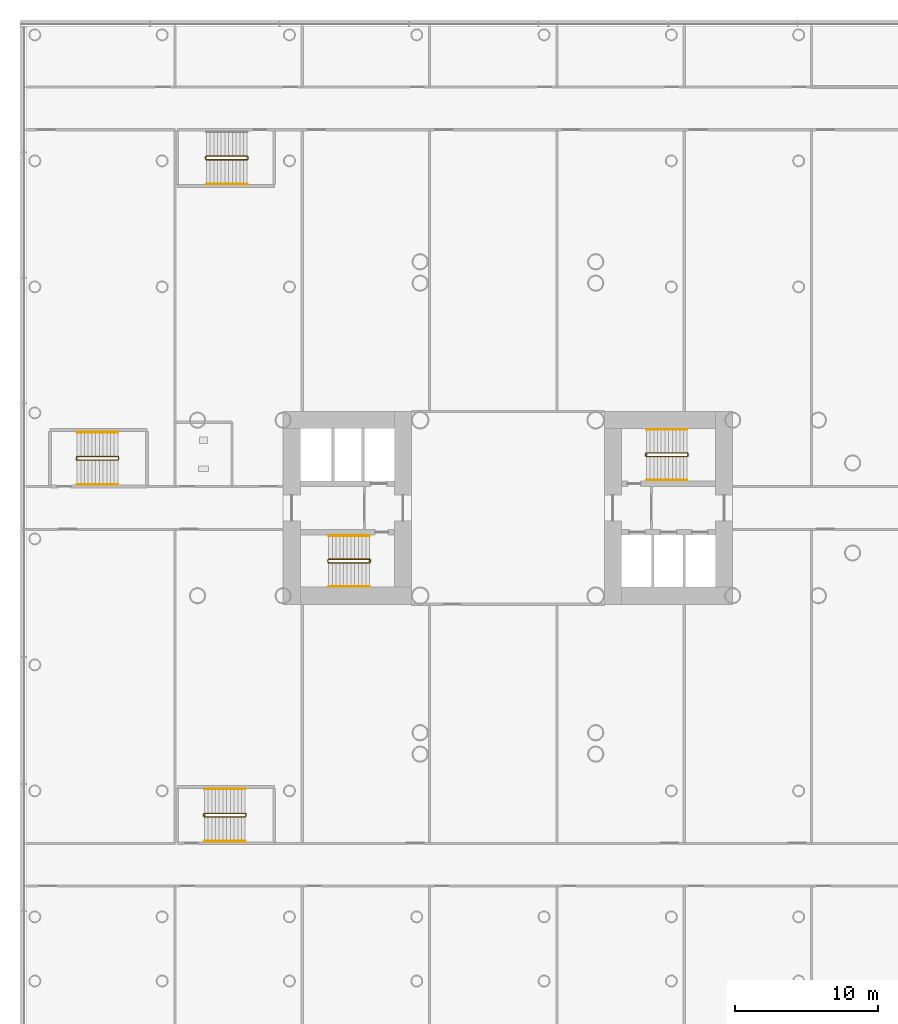
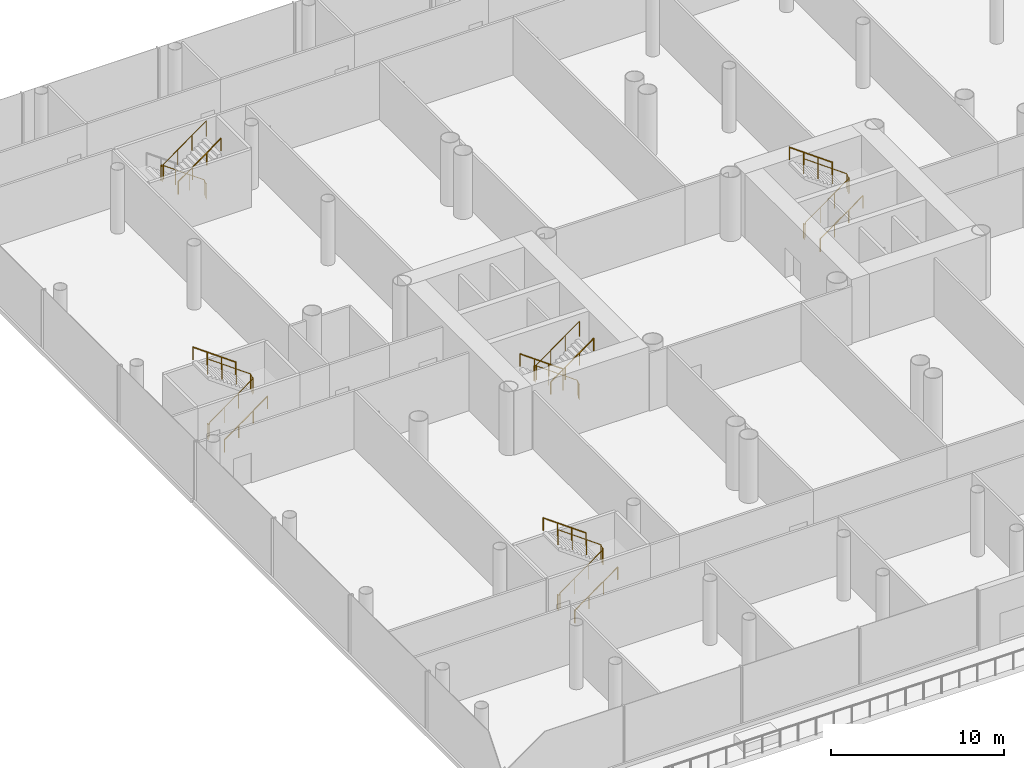
# One storey, part 46 of 49: 14 railings.
"""IFC4 building model written with IfcOpenShell, lengths in metres."""

from ifc_helpers import new_model, si_unit, direction, frame, origin, origin_2d, place, context, subcontext, project, spatial, circle, extrude, material, type_object, element, save


model = new_model("IFC4")

# Units and contexts
model_context = context("Model", 3, precision=1e-05, world=origin(), true_north=direction((0.0, 1.0)))
body_context = subcontext(model_context, "Body", "Model", "MODEL_VIEW")
ifc_project = project(units=[si_unit("LENGTHUNIT", "METRE"), si_unit("AREAUNIT", "SQUARE_METRE"), si_unit("VOLUMEUNIT", "CUBIC_METRE"), si_unit("PLANEANGLEUNIT", "RADIAN"), si_unit("MASSUNIT", "GRAM", prefix="KILO")], contexts=[model_context])

# Site, building, storey
site_placement = place(None, origin())
site = spatial("IfcSite", under=ifc_project, at=site_placement, CompositionType="ELEMENT")
building_placement = place(site_placement, origin())
building = spatial("IfcBuilding", under=site, at=building_placement, Name="Ipe Terrace Towers", CompositionType="ELEMENT")
storey_placement = place(building_placement, frame((0.0, 0.0, 11.0)))
storey = spatial("IfcBuildingStorey", under=building, at=storey_placement, Name="L02", CompositionType="ELEMENT", Elevation=11.0)

# Railings
ifc_material_1 = material(Name="Steel S355", Category="steel")
railing_type_1 = type_object("IfcRailingType", Name="Stair guard 1100", PredefinedType="GUARDRAIL", material=ifc_material_1)
railing_1_placement = place(storey_placement, frame((-26.35009765625, 3.800048828125, 0.0)))
element("IfcRailing", 1, at=railing_1_placement, inside=storey, type_object=railing_type_1, Name="L02 T1-ST1 stair guard 1", PredefinedType="GUARDRAIL", context=body_context, shape_type="SweptSolid", body=[
    extrude(circle(Radius=0.02392578125, at=origin_2d()), frame((0.0, 0.0, 1.076171875), z_axis=(0.0, -1.0, 0.0), x_axis=(1.0, 0.0, 0.0)), (0.0, 0.0, 1.0), 0.150146484375),
    extrude(circle(Radius=0.02392578125, at=origin_2d()), frame((0.0, -0.150146484375, 1.076171875), z_axis=(0.249802250048, -0.248583702486, 0.935844527007), x_axis=(0.705375805398, 0.708833529934, 0.0)), (0.0, 0.0, 1.0), 0.200439453125),
    extrude(circle(Radius=0.02392578125, at=origin_2d()), frame((0.050048828125, -0.199951171875, 1.263671875), z_axis=(0.811100754333, 0.0, 0.584906459462), x_axis=(0.0, 1.0, 0.0)), (0.0, 0.0, 1.0), 3.526123046875),
    extrude(circle(Radius=0.02392578125, at=origin_2d()), frame((2.91015625, -0.199951171875, 3.326171875), z_axis=(0.708833529934, 0.705375805398, 0.0), x_axis=(-0.705375805398, 0.708833529934, 0.0)), (0.0, 0.0, 1.0), 0.070556640625),
    extrude(circle(Radius=0.02392578125, at=origin_2d()), frame((2.960205078125, -0.150146484375, 3.326171875), z_axis=(0.0, 1.0, 0.0), x_axis=(-1.0, 0.0, 0.0)), (0.0, 0.0, 1.0), 0.150146484375),
    extrude(circle(Radius=0.02392578125, at=origin_2d()), frame((2.960205078125, 0.0, 3.326171875), z_axis=(-0.249726431254, 0.249726431254, 0.935560483917), x_axis=(-0.707106781187, -0.707106781187, 0.0)), (0.0, 0.0, 1.0), 0.200439453125),
    extrude(circle(Radius=0.02392578125, at=origin_2d()), frame((2.91015625, 0.050048828125, 3.513671875), z_axis=(-0.811100754333, 0.0, 0.584906459462), x_axis=(0.0, -1.0, 0.0)), (0.0, 0.0, 1.0), 3.526123046875),
    extrude(circle(Radius=0.02099609375, at=origin_2d()), origin(), (0.0, 0.0, 1.0), 1.052001953125),
    extrude(circle(Radius=0.02099609375, at=origin_2d()), frame((0.0, -0.150146484375, 0.0)), (0.0, 0.0, 1.0), 1.052001953125),
    extrude(circle(Radius=0.02099609375, at=origin_2d()), frame((0.050048828125, -0.199951171875, 0.1875)), (0.0, 0.0, 1.0), 1.052001953125),
    extrude(circle(Radius=0.02099609375, at=origin_2d()), frame((1.00341796875, -0.199951171875, 0.875)), (0.0, 0.0, 1.0), 1.052001953125),
    extrude(circle(Radius=0.02099609375, at=origin_2d()), frame((1.956787109375, -0.199951171875, 1.5625)), (0.0, 0.0, 1.0), 1.052001953125),
    extrude(circle(Radius=0.02099609375, at=origin_2d()), frame((2.91015625, -0.199951171875, 2.25)), (0.0, 0.0, 1.0), 1.052001953125),
    extrude(circle(Radius=0.02099609375, at=origin_2d()), frame((2.960205078125, -0.150146484375, 2.25)), (0.0, 0.0, 1.0), 1.052001953125),
    extrude(circle(Radius=0.02099609375, at=origin_2d()), frame((2.960205078125, 0.0, 2.25)), (0.0, 0.0, 1.0), 1.052001953125),
    extrude(circle(Radius=0.02099609375, at=origin_2d()), frame((2.91015625, 0.050048828125, 2.4375)), (0.0, 0.0, 1.0), 1.052001953125),
    extrude(circle(Radius=0.02099609375, at=origin_2d()), frame((1.956787109375, 0.050048828125, 3.125)), (0.0, 0.0, 1.0), 1.052001953125),
    extrude(circle(Radius=0.02099609375, at=origin_2d()), frame((1.00341796875, 0.050048828125, 3.8125)), (0.0, 0.0, 1.0), 1.052001953125),
    extrude(circle(Radius=0.02099609375, at=origin_2d()), frame((0.050048828125, 0.050048828125, 4.5)), (0.0, 0.0, 1.0), 1.052001953125),
])
railing_2_placement = place(storey_placement, frame((-45.64990234375, -3.800048828125, 0.0)))
element("IfcRailing", 2, at=railing_2_placement, inside=storey, type_object=railing_type_1, Name="L02 T1-ST2 stair guard 1", PredefinedType="GUARDRAIL", context=body_context, shape_type="SweptSolid", body=[
    extrude(circle(Radius=0.02392578125, at=origin_2d()), frame((0.0, 0.0, 1.076171875), z_axis=(0.0, 1.0, 0.0), x_axis=(-1.0, 0.0, 0.0)), (0.0, 0.0, 1.0), 0.150146484375),
    extrude(circle(Radius=0.02392578125, at=origin_2d()), frame((0.0, 0.150146484375, 1.076171875), z_axis=(-0.249802250048, 0.248583702486, 0.935844527007), x_axis=(-0.705375805398, -0.708833529934, 0.0)), (0.0, 0.0, 1.0), 0.200439453125),
    extrude(circle(Radius=0.02392578125, at=origin_2d()), frame((-0.050048828125, 0.199951171875, 1.263671875), z_axis=(-0.811100754333, 0.0, 0.584906459462), x_axis=(0.0, -1.0, 0.0)), (0.0, 0.0, 1.0), 3.526123046875),
    extrude(circle(Radius=0.02392578125, at=origin_2d()), frame((-2.91015625, 0.199951171875, 3.326171875), z_axis=(-0.708833529934, -0.705375805398, 0.0), x_axis=(0.705375805398, -0.708833529934, 0.0)), (0.0, 0.0, 1.0), 0.070556640625),
    extrude(circle(Radius=0.02392578125, at=origin_2d()), frame((-2.960205078125, 0.150146484375, 3.326171875), z_axis=(0.0, -1.0, 0.0), x_axis=(1.0, 0.0, 0.0)), (0.0, 0.0, 1.0), 0.150146484375),
    extrude(circle(Radius=0.02392578125, at=origin_2d()), frame((-2.960205078125, 0.0, 3.326171875), z_axis=(0.249726431254, -0.249726431254, 0.935560483917), x_axis=(0.707106781187, 0.707106781187, 0.0)), (0.0, 0.0, 1.0), 0.200439453125),
    extrude(circle(Radius=0.02392578125, at=origin_2d()), frame((-2.91015625, -0.050048828125, 3.513671875), z_axis=(0.811100754333, 0.0, 0.584906459462), x_axis=(0.0, 1.0, 0.0)), (0.0, 0.0, 1.0), 3.526123046875),
    extrude(circle(Radius=0.02099609375, at=origin_2d()), origin(), (0.0, 0.0, 1.0), 1.052001953125),
    extrude(circle(Radius=0.02099609375, at=origin_2d()), frame((0.0, 0.150146484375, 0.0)), (0.0, 0.0, 1.0), 1.052001953125),
    extrude(circle(Radius=0.02099609375, at=origin_2d()), frame((-0.050048828125, 0.199951171875, 0.1875)), (0.0, 0.0, 1.0), 1.052001953125),
    extrude(circle(Radius=0.02099609375, at=origin_2d()), frame((-1.00341796875, 0.199951171875, 0.875)), (0.0, 0.0, 1.0), 1.052001953125),
    extrude(circle(Radius=0.02099609375, at=origin_2d()), frame((-1.956787109375, 0.199951171875, 1.5625)), (0.0, 0.0, 1.0), 1.052001953125),
    extrude(circle(Radius=0.02099609375, at=origin_2d()), frame((-2.91015625, 0.199951171875, 2.25)), (0.0, 0.0, 1.0), 1.052001953125),
    extrude(circle(Radius=0.02099609375, at=origin_2d()), frame((-2.960205078125, 0.150146484375, 2.25)), (0.0, 0.0, 1.0), 1.052001953125),
    extrude(circle(Radius=0.02099609375, at=origin_2d()), frame((-2.960205078125, 0.0, 2.25)), (0.0, 0.0, 1.0), 1.052001953125),
    extrude(circle(Radius=0.02099609375, at=origin_2d()), frame((-2.91015625, -0.050048828125, 2.4375)), (0.0, 0.0, 1.0), 1.052001953125),
    extrude(circle(Radius=0.02099609375, at=origin_2d()), frame((-1.956787109375, -0.050048828125, 3.125)), (0.0, 0.0, 1.0), 1.052001953125),
    extrude(circle(Radius=0.02099609375, at=origin_2d()), frame((-1.00341796875, -0.050048828125, 3.8125)), (0.0, 0.0, 1.0), 1.052001953125),
    extrude(circle(Radius=0.02099609375, at=origin_2d()), frame((-0.050048828125, -0.050048828125, 4.5)), (0.0, 0.0, 1.0), 1.052001953125),
])
railing_3_placement = place(storey_placement, frame((-54.219970703125, 24.449951171875, 0.0)))
element("IfcRailing", 3, at=railing_3_placement, inside=storey, type_object=railing_type_1, Name="L02 PS1 stair guard 1", PredefinedType="GUARDRAIL", context=body_context, shape_type="SweptSolid", body=[
    extrude(circle(Radius=0.02392578125, at=origin_2d()), frame((0.0, 0.0, 1.076171875), z_axis=(0.0, 1.0, 0.0), x_axis=(-1.0, 0.0, 0.0)), (0.0, 0.0, 1.0), 0.150146484375),
    extrude(circle(Radius=0.02392578125, at=origin_2d()), frame((0.0, 0.150146484375, 1.076171875), z_axis=(-0.249802250048, 0.248583702486, 0.935844527007), x_axis=(-0.705375805398, -0.708833529934, 0.0)), (0.0, 0.0, 1.0), 0.200439453125),
    extrude(circle(Radius=0.02392578125, at=origin_2d()), frame((-0.050048828125, 0.199951171875, 1.263671875), z_axis=(-0.811077065594, 0.0, 0.584939307678), x_axis=(0.0, -1.0, 0.0)), (0.0, 0.0, 1.0), 3.526123046875),
    extrude(circle(Radius=0.02392578125, at=origin_2d()), frame((-2.909912109375, 0.199951171875, 3.326171875), z_axis=(-0.708833529934, -0.705375805398, 0.0), x_axis=(0.705375805398, -0.708833529934, 0.0)), (0.0, 0.0, 1.0), 0.070556640625),
    extrude(circle(Radius=0.02392578125, at=origin_2d()), frame((-2.9599609375, 0.150146484375, 3.326171875), z_axis=(0.0, -1.0, 0.0), x_axis=(1.0, 0.0, 0.0)), (0.0, 0.0, 1.0), 0.150146484375),
    extrude(circle(Radius=0.02392578125, at=origin_2d()), frame((-2.9599609375, 0.0, 3.326171875), z_axis=(0.249726431254, -0.249726431254, 0.935560483917), x_axis=(0.707106781187, 0.707106781187, 0.0)), (0.0, 0.0, 1.0), 0.200439453125),
    extrude(circle(Radius=0.02392578125, at=origin_2d()), frame((-2.909912109375, -0.050048828125, 3.513671875), z_axis=(0.811077065594, 0.0, 0.584939307678), x_axis=(0.0, 1.0, 0.0)), (0.0, 0.0, 1.0), 3.526123046875),
    extrude(circle(Radius=0.02099609375, at=origin_2d()), origin(), (0.0, 0.0, 1.0), 1.052001953125),
    extrude(circle(Radius=0.02099609375, at=origin_2d()), frame((0.0, 0.150146484375, 0.0)), (0.0, 0.0, 1.0), 1.052001953125),
    extrude(circle(Radius=0.02099609375, at=origin_2d()), frame((-0.050048828125, 0.199951171875, 0.1875)), (0.0, 0.0, 1.0), 1.052001953125),
    extrude(circle(Radius=0.02099609375, at=origin_2d()), frame((-1.00341796875, 0.199951171875, 0.875)), (0.0, 0.0, 1.0), 1.052001953125),
    extrude(circle(Radius=0.02099609375, at=origin_2d()), frame((-1.95654296875, 0.199951171875, 1.5625)), (0.0, 0.0, 1.0), 1.052001953125),
    extrude(circle(Radius=0.02099609375, at=origin_2d()), frame((-2.909912109375, 0.199951171875, 2.25)), (0.0, 0.0, 1.0), 1.052001953125),
    extrude(circle(Radius=0.02099609375, at=origin_2d()), frame((-2.9599609375, 0.150146484375, 2.25)), (0.0, 0.0, 1.0), 1.052001953125),
    extrude(circle(Radius=0.02099609375, at=origin_2d()), frame((-2.9599609375, 0.0, 2.25)), (0.0, 0.0, 1.0), 1.052001953125),
    extrude(circle(Radius=0.02099609375, at=origin_2d()), frame((-2.909912109375, -0.050048828125, 2.4375)), (0.0, 0.0, 1.0), 1.052001953125),
    extrude(circle(Radius=0.02099609375, at=origin_2d()), frame((-1.95654296875, -0.050048828125, 3.125)), (0.0, 0.0, 1.0), 1.052001953125),
    extrude(circle(Radius=0.02099609375, at=origin_2d()), frame((-1.00341796875, -0.050048828125, 3.8125)), (0.0, 0.0, 1.0), 1.052001953125),
    extrude(circle(Radius=0.02099609375, at=origin_2d()), frame((-0.050048828125, -0.050048828125, 4.5)), (0.0, 0.0, 1.0), 1.052001953125),
])
railing_4_placement = place(storey_placement, frame((-57.320068359375, -21.449951171875, 0.0)))
element("IfcRailing", 4, at=railing_4_placement, inside=storey, type_object=railing_type_1, Name="L02 PS4 stair guard 1", PredefinedType="GUARDRAIL", context=body_context, shape_type="SweptSolid", body=[
    extrude(circle(Radius=0.02392578125, at=origin_2d()), frame((0.0, 0.0, 1.076171875), z_axis=(0.0, -1.0, 0.0), x_axis=(1.0, 0.0, 0.0)), (0.0, 0.0, 1.0), 0.150146484375),
    extrude(circle(Radius=0.02392578125, at=origin_2d()), frame((0.0, -0.150146484375, 1.076171875), z_axis=(0.249802250048, -0.248583702486, 0.935844527007), x_axis=(0.705375805398, 0.708833529934, 0.0)), (0.0, 0.0, 1.0), 0.200439453125),
    extrude(circle(Radius=0.02392578125, at=origin_2d()), frame((0.050048828125, -0.199951171875, 1.263671875), z_axis=(0.811100754333, 0.0, 0.584906459462), x_axis=(0.0, 1.0, 0.0)), (0.0, 0.0, 1.0), 3.526123046875),
    extrude(circle(Radius=0.02392578125, at=origin_2d()), frame((2.91015625, -0.199951171875, 3.326171875), z_axis=(0.707106781187, 0.707106781187, 0.0), x_axis=(-0.707106781187, 0.707106781187, 0.0)), (0.0, 0.0, 1.0), 0.0703125),
    extrude(circle(Radius=0.02392578125, at=origin_2d()), frame((2.9599609375, -0.150146484375, 3.326171875), z_axis=(0.0, 1.0, 0.0), x_axis=(-1.0, 0.0, 0.0)), (0.0, 0.0, 1.0), 0.150146484375),
    extrude(circle(Radius=0.02392578125, at=origin_2d()), frame((2.9599609375, 0.0, 3.326171875), z_axis=(-0.248583702486, 0.249802250048, 0.935844527007), x_axis=(-0.708833529934, -0.705375805398, 0.0)), (0.0, 0.0, 1.0), 0.200439453125),
    extrude(circle(Radius=0.02392578125, at=origin_2d()), frame((2.91015625, 0.050048828125, 3.513671875), z_axis=(-0.811100754333, 0.0, 0.584906459462), x_axis=(0.0, -1.0, 0.0)), (0.0, 0.0, 1.0), 3.526123046875),
    extrude(circle(Radius=0.02099609375, at=origin_2d()), origin(), (0.0, 0.0, 1.0), 1.052001953125),
    extrude(circle(Radius=0.02099609375, at=origin_2d()), frame((0.0, -0.150146484375, 0.0)), (0.0, 0.0, 1.0), 1.052001953125),
    extrude(circle(Radius=0.02099609375, at=origin_2d()), frame((0.050048828125, -0.199951171875, 0.1875)), (0.0, 0.0, 1.0), 1.052001953125),
    extrude(circle(Radius=0.02099609375, at=origin_2d()), frame((1.00341796875, -0.199951171875, 0.875)), (0.0, 0.0, 1.0), 1.052001953125),
    extrude(circle(Radius=0.02099609375, at=origin_2d()), frame((1.956787109375, -0.199951171875, 1.5625)), (0.0, 0.0, 1.0), 1.052001953125),
    extrude(circle(Radius=0.02099609375, at=origin_2d()), frame((2.91015625, -0.199951171875, 2.25)), (0.0, 0.0, 1.0), 1.052001953125),
    extrude(circle(Radius=0.02099609375, at=origin_2d()), frame((2.9599609375, -0.150146484375, 2.25)), (0.0, 0.0, 1.0), 1.052001953125),
    extrude(circle(Radius=0.02099609375, at=origin_2d()), frame((2.9599609375, 0.0, 2.25)), (0.0, 0.0, 1.0), 1.052001953125),
    extrude(circle(Radius=0.02099609375, at=origin_2d()), frame((2.91015625, 0.050048828125, 2.4375)), (0.0, 0.0, 1.0), 1.052001953125),
    extrude(circle(Radius=0.02099609375, at=origin_2d()), frame((1.956787109375, 0.050048828125, 3.125)), (0.0, 0.0, 1.0), 1.052001953125),
    extrude(circle(Radius=0.02099609375, at=origin_2d()), frame((1.00341796875, 0.050048828125, 3.8125)), (0.0, 0.0, 1.0), 1.052001953125),
    extrude(circle(Radius=0.02099609375, at=origin_2d()), frame((0.050048828125, 0.050048828125, 4.5)), (0.0, 0.0, 1.0), 1.052001953125),
])
railing_5_placement = place(storey_placement, frame((-66.239990234375, 3.550048828125, 0.0)))
element("IfcRailing", 5, at=railing_5_placement, inside=storey, type_object=railing_type_1, Name="L02 PS7 stair guard 1", PredefinedType="GUARDRAIL", context=body_context, shape_type="SweptSolid", body=[
    extrude(circle(Radius=0.02392578125, at=origin_2d()), frame((0.0, 0.0, 1.076171875), z_axis=(0.0, -1.0, 0.0), x_axis=(1.0, 0.0, 0.0)), (0.0, 0.0, 1.0), 0.150146484375),
    extrude(circle(Radius=0.02392578125, at=origin_2d()), frame((0.0, -0.150146484375, 1.076171875), z_axis=(0.249802250048, -0.248583702486, 0.935844527007), x_axis=(0.705375805398, 0.708833529934, 0.0)), (0.0, 0.0, 1.0), 0.200439453125),
    extrude(circle(Radius=0.02392578125, at=origin_2d()), frame((0.050048828125, -0.199951171875, 1.263671875), z_axis=(0.811077065594, 0.0, 0.584939307678), x_axis=(0.0, 1.0, 0.0)), (0.0, 0.0, 1.0), 3.526123046875),
    extrude(circle(Radius=0.02392578125, at=origin_2d()), frame((2.909912109375, -0.199951171875, 3.326171875), z_axis=(0.708833529934, 0.705375805398, 0.0), x_axis=(-0.705375805398, 0.708833529934, 0.0)), (0.0, 0.0, 1.0), 0.070556640625),
    extrude(circle(Radius=0.02392578125, at=origin_2d()), frame((2.9599609375, -0.150146484375, 3.326171875), z_axis=(0.0, 1.0, 0.0), x_axis=(-1.0, 0.0, 0.0)), (0.0, 0.0, 1.0), 0.150146484375),
    extrude(circle(Radius=0.02392578125, at=origin_2d()), frame((2.9599609375, 0.0, 3.326171875), z_axis=(-0.249726431254, 0.249726431254, 0.935560483917), x_axis=(-0.707106781187, -0.707106781187, 0.0)), (0.0, 0.0, 1.0), 0.200439453125),
    extrude(circle(Radius=0.02392578125, at=origin_2d()), frame((2.909912109375, 0.050048828125, 3.513671875), z_axis=(-0.811077065594, 0.0, 0.584939307678), x_axis=(0.0, -1.0, 0.0)), (0.0, 0.0, 1.0), 3.526123046875),
    extrude(circle(Radius=0.02099609375, at=origin_2d()), origin(), (0.0, 0.0, 1.0), 1.052001953125),
    extrude(circle(Radius=0.02099609375, at=origin_2d()), frame((0.0, -0.150146484375, 0.0)), (0.0, 0.0, 1.0), 1.052001953125),
    extrude(circle(Radius=0.02099609375, at=origin_2d()), frame((0.050048828125, -0.199951171875, 0.1875)), (0.0, 0.0, 1.0), 1.052001953125),
    extrude(circle(Radius=0.02099609375, at=origin_2d()), frame((1.00341796875, -0.199951171875, 0.875)), (0.0, 0.0, 1.0), 1.052001953125),
    extrude(circle(Radius=0.02099609375, at=origin_2d()), frame((1.95654296875, -0.199951171875, 1.5625)), (0.0, 0.0, 1.0), 1.052001953125),
    extrude(circle(Radius=0.02099609375, at=origin_2d()), frame((2.909912109375, -0.199951171875, 2.25)), (0.0, 0.0, 1.0), 1.052001953125),
    extrude(circle(Radius=0.02099609375, at=origin_2d()), frame((2.9599609375, -0.150146484375, 2.25)), (0.0, 0.0, 1.0), 1.052001953125),
    extrude(circle(Radius=0.02099609375, at=origin_2d()), frame((2.9599609375, 0.0, 2.25)), (0.0, 0.0, 1.0), 1.052001953125),
    extrude(circle(Radius=0.02099609375, at=origin_2d()), frame((2.909912109375, 0.050048828125, 2.4375)), (0.0, 0.0, 1.0), 1.052001953125),
    extrude(circle(Radius=0.02099609375, at=origin_2d()), frame((1.95654296875, 0.050048828125, 3.125)), (0.0, 0.0, 1.0), 1.052001953125),
    extrude(circle(Radius=0.02099609375, at=origin_2d()), frame((1.00341796875, 0.050048828125, 3.8125)), (0.0, 0.0, 1.0), 1.052001953125),
    extrude(circle(Radius=0.02099609375, at=origin_2d()), frame((0.050048828125, 0.050048828125, 4.5)), (0.0, 0.0, 1.0), 1.052001953125),
])
ifc_material_2 = material(Name="Stainless steel grade 304", Category="steel")
railing_type_2 = type_object("IfcRailingType", Name="Stair handrail 900", PredefinedType="HANDRAIL", material=ifc_material_2)
railing_6_placement = place(storey_placement, frame((-26.300048828125, 1.949951171875, 0.1875)))
element("IfcRailing", 6, at=railing_6_placement, inside=storey, type_object=railing_type_2, Name="L02 T1-ST1 stair handrail 1", PredefinedType="HANDRAIL", context=body_context, shape_type="SweptSolid", body=[
    extrude(circle(Radius=0.02392578125, at=origin_2d()), frame((0.0, 0.0, 0.8759765625), z_axis=(0.811100754333, 0.0, 0.584906459462), x_axis=(0.0, 1.0, 0.0)), (0.0, 0.0, 1.0), 3.526123046875),
    extrude(circle(Radius=0.02099609375, at=origin_2d()), origin(), (0.0, 0.0, 1.0), 0.851806640625),
    extrude(circle(Radius=0.02099609375, at=origin_2d()), frame((0.953369140625, 0.0, 0.6875)), (0.0, 0.0, 1.0), 0.851806640625),
    extrude(circle(Radius=0.02099609375, at=origin_2d()), frame((1.90673828125, 0.0, 1.375)), (0.0, 0.0, 1.0), 0.851806640625),
    extrude(circle(Radius=0.02099609375, at=origin_2d()), frame((2.860107421875, 0.0, 2.0625)), (0.0, 0.0, 1.0), 0.851806640625),
])
for number, where, name in (
    (7, (-23.43994140625, 5.5, 2.4375), "L02 T1-ST1 stair handrail 2"),
    (8, (-45.699951171875, -1.949951171875, 0.1875), "L02 T1-ST2 stair handrail 1"),
):
    element("IfcRailing", number, at=place(storey_placement, frame(where)), inside=storey, type_object=railing_type_2, Name=name, PredefinedType="HANDRAIL", context=body_context, shape_type="SweptSolid", body=[
        extrude(circle(Radius=0.02392578125, at=origin_2d()), frame((0.0, 0.0, 0.8759765625), z_axis=(-0.811100754333, 0.0, 0.584906459462), x_axis=(0.0, -1.0, 0.0)), (0.0, 0.0, 1.0), 3.526123046875),
        extrude(circle(Radius=0.02099609375, at=origin_2d()), origin(), (0.0, 0.0, 1.0), 0.851806640625),
        extrude(circle(Radius=0.02099609375, at=origin_2d()), frame((-0.953369140625, 0.0, 0.6875)), (0.0, 0.0, 1.0), 0.851806640625),
        extrude(circle(Radius=0.02099609375, at=origin_2d()), frame((-1.90673828125, 0.0, 1.375)), (0.0, 0.0, 1.0), 0.851806640625),
        extrude(circle(Radius=0.02099609375, at=origin_2d()), frame((-2.860107421875, 0.0, 2.0625)), (0.0, 0.0, 1.0), 0.851806640625),
    ])
railing_7_placement = place(storey_placement, frame((-48.56005859375, -5.5, 2.4375)))
element("IfcRailing", 9, at=railing_7_placement, inside=storey, type_object=railing_type_2, Name="L02 T1-ST2 stair handrail 2", PredefinedType="HANDRAIL", context=body_context, shape_type="SweptSolid", body=[
    extrude(circle(Radius=0.02392578125, at=origin_2d()), frame((0.0, 0.0, 0.8759765625), z_axis=(0.811100754333, 0.0, 0.584906459462), x_axis=(0.0, 1.0, 0.0)), (0.0, 0.0, 1.0), 3.526123046875),
    extrude(circle(Radius=0.02099609375, at=origin_2d()), origin(), (0.0, 0.0, 1.0), 0.851806640625),
    extrude(circle(Radius=0.02099609375, at=origin_2d()), frame((0.953369140625, 0.0, 0.6875)), (0.0, 0.0, 1.0), 0.851806640625),
    extrude(circle(Radius=0.02099609375, at=origin_2d()), frame((1.90673828125, 0.0, 1.375)), (0.0, 0.0, 1.0), 0.851806640625),
    extrude(circle(Radius=0.02099609375, at=origin_2d()), frame((2.860107421875, 0.0, 2.0625)), (0.0, 0.0, 1.0), 0.851806640625),
])
railing_8_placement = place(storey_placement, frame((-57.1298828125, 22.699951171875, 2.4375)))
element("IfcRailing", 10, at=railing_8_placement, inside=storey, type_object=railing_type_2, Name="L02 PS1 stair handrail 2", PredefinedType="HANDRAIL", context=body_context, shape_type="SweptSolid", body=[
    extrude(circle(Radius=0.02392578125, at=origin_2d()), frame((0.0, 0.0, 0.8759765625), z_axis=(0.811077065594, 0.0, 0.584939307678), x_axis=(0.0, 1.0, 0.0)), (0.0, 0.0, 1.0), 3.526123046875),
    extrude(circle(Radius=0.02099609375, at=origin_2d()), origin(), (0.0, 0.0, 1.0), 0.851806640625),
    extrude(circle(Radius=0.02099609375, at=origin_2d()), frame((0.953369140625, 0.0, 0.6875)), (0.0, 0.0, 1.0), 0.851806640625),
    extrude(circle(Radius=0.02099609375, at=origin_2d()), frame((1.906494140625, 0.0, 1.375)), (0.0, 0.0, 1.0), 0.851806640625),
    extrude(circle(Radius=0.02099609375, at=origin_2d()), frame((2.85986328125, 0.0, 2.0625)), (0.0, 0.0, 1.0), 0.851806640625),
])
railing_9_placement = place(storey_placement, frame((-57.27001953125, -23.35009765625, 0.1875)))
element("IfcRailing", 11, at=railing_9_placement, inside=storey, type_object=railing_type_2, Name="L02 PS4 stair handrail 1", PredefinedType="HANDRAIL", context=body_context, shape_type="SweptSolid", body=[
    extrude(circle(Radius=0.02392578125, at=origin_2d()), frame((0.0, 0.0, 0.8759765625), z_axis=(0.811100754333, 0.0, 0.584906459462), x_axis=(0.0, 1.0, 0.0)), (0.0, 0.0, 1.0), 3.526123046875),
    extrude(circle(Radius=0.02099609375, at=origin_2d()), origin(), (0.0, 0.0, 1.0), 0.851806640625),
    extrude(circle(Radius=0.02099609375, at=origin_2d()), frame((0.953369140625, 0.0, 0.6875)), (0.0, 0.0, 1.0), 0.851806640625),
    extrude(circle(Radius=0.02099609375, at=origin_2d()), frame((1.90673828125, 0.0, 1.375)), (0.0, 0.0, 1.0), 0.851806640625),
    extrude(circle(Radius=0.02099609375, at=origin_2d()), frame((2.860107421875, 0.0, 2.0625)), (0.0, 0.0, 1.0), 0.851806640625),
])
railing_10_placement = place(storey_placement, frame((-54.409912109375, -19.699951171875, 2.4375)))
element("IfcRailing", 12, at=railing_10_placement, inside=storey, type_object=railing_type_2, Name="L02 PS4 stair handrail 2", PredefinedType="HANDRAIL", context=body_context, shape_type="SweptSolid", body=[
    extrude(circle(Radius=0.02392578125, at=origin_2d()), frame((0.0, 0.0, 0.8759765625), z_axis=(-0.811100754333, 0.0, 0.584906459462), x_axis=(0.0, -1.0, 0.0)), (0.0, 0.0, 1.0), 3.526123046875),
    extrude(circle(Radius=0.02099609375, at=origin_2d()), origin(), (0.0, 0.0, 1.0), 0.851806640625),
    extrude(circle(Radius=0.02099609375, at=origin_2d()), frame((-0.953369140625, 0.0, 0.6875)), (0.0, 0.0, 1.0), 0.851806640625),
    extrude(circle(Radius=0.02099609375, at=origin_2d()), frame((-1.90673828125, 0.0, 1.375)), (0.0, 0.0, 1.0), 0.851806640625),
    extrude(circle(Radius=0.02099609375, at=origin_2d()), frame((-2.860107421875, 0.0, 2.0625)), (0.0, 0.0, 1.0), 0.851806640625),
])
railing_11_placement = place(storey_placement, frame((-66.18994140625, 1.64990234375, 0.1875)))
element("IfcRailing", 13, at=railing_11_placement, inside=storey, type_object=railing_type_2, Name="L02 PS7 stair handrail 1", PredefinedType="HANDRAIL", context=body_context, shape_type="SweptSolid", body=[
    extrude(circle(Radius=0.02392578125, at=origin_2d()), frame((0.0, 0.0, 0.8759765625), z_axis=(0.811077065594, 0.0, 0.584939307678), x_axis=(0.0, 1.0, 0.0)), (0.0, 0.0, 1.0), 3.526123046875),
    extrude(circle(Radius=0.02099609375, at=origin_2d()), origin(), (0.0, 0.0, 1.0), 0.851806640625),
    extrude(circle(Radius=0.02099609375, at=origin_2d()), frame((0.953369140625, 0.0, 0.6875)), (0.0, 0.0, 1.0), 0.851806640625),
    extrude(circle(Radius=0.02099609375, at=origin_2d()), frame((1.906494140625, 0.0, 1.375)), (0.0, 0.0, 1.0), 0.851806640625),
    extrude(circle(Radius=0.02099609375, at=origin_2d()), frame((2.85986328125, 0.0, 2.0625)), (0.0, 0.0, 1.0), 0.851806640625),
])
railing_12_placement = place(storey_placement, frame((-63.330078125, 5.300048828125, 2.4375)))
element("IfcRailing", 14, at=railing_12_placement, inside=storey, type_object=railing_type_2, Name="L02 PS7 stair handrail 2", PredefinedType="HANDRAIL", context=body_context, shape_type="SweptSolid", body=[
    extrude(circle(Radius=0.02392578125, at=origin_2d()), frame((0.0, 0.0, 0.8759765625), z_axis=(-0.811077065594, 0.0, 0.584939307678), x_axis=(0.0, -1.0, 0.0)), (0.0, 0.0, 1.0), 3.526123046875),
    extrude(circle(Radius=0.02099609375, at=origin_2d()), origin(), (0.0, 0.0, 1.0), 0.851806640625),
    extrude(circle(Radius=0.02099609375, at=origin_2d()), frame((-0.953369140625, 0.0, 0.6875)), (0.0, 0.0, 1.0), 0.851806640625),
    extrude(circle(Radius=0.02099609375, at=origin_2d()), frame((-1.906494140625, 0.0, 1.375)), (0.0, 0.0, 1.0), 0.851806640625),
    extrude(circle(Radius=0.02099609375, at=origin_2d()), frame((-2.85986328125, 0.0, 2.0625)), (0.0, 0.0, 1.0), 0.851806640625),
])

save(model, "model.ifc")
